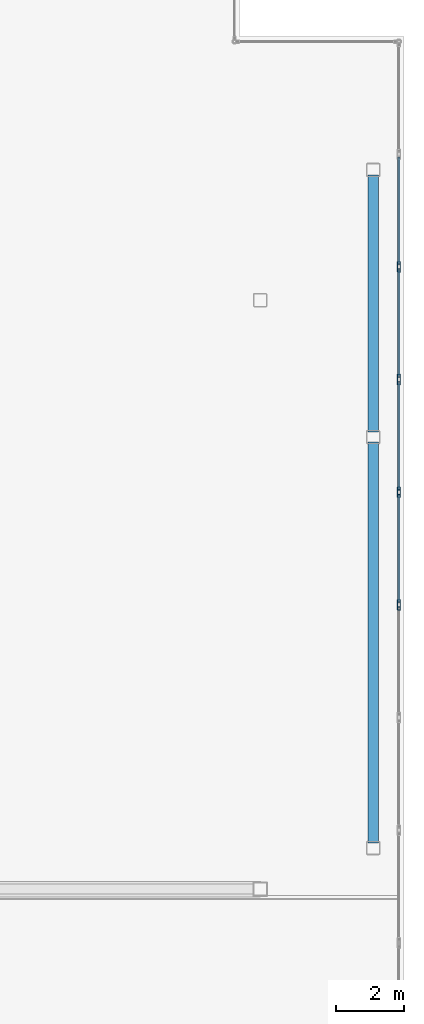
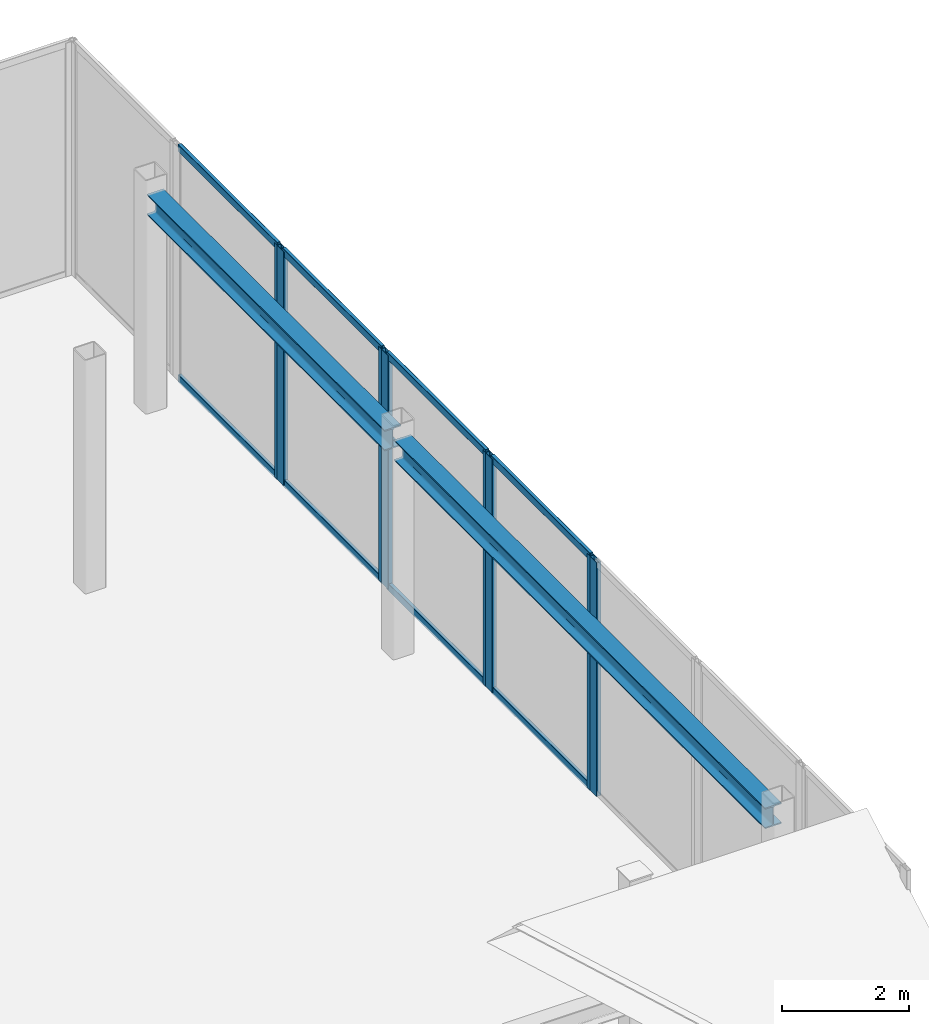
# One storey, part 7 of 15: 16 members, 2 beams, 5 elements without a shape of their own.
"""IFC4 building model written with IfcOpenShell, lengths in metres."""

from ifc_helpers import new_model, si_unit, direction, frame, origin, origin_2d, place, context, subcontext, project, spatial, hollow_rectangle, i_section, extrude, material, layer, layer_set, material_profile, profile_set, type_object, element, aggregate, save


model = new_model("IFC4")

# Units and contexts
model_context = context("Model", 3, precision=1e-05, world=origin(), true_north=direction((0.0, 1.0)))
body_context = subcontext(model_context, "Body", "Model", "MODEL_VIEW")
ifc_project = project(units=[si_unit("LENGTHUNIT", "METRE"), si_unit("AREAUNIT", "SQUARE_METRE"), si_unit("VOLUMEUNIT", "CUBIC_METRE"), si_unit("PLANEANGLEUNIT", "RADIAN"), si_unit("MASSUNIT", "GRAM", prefix="KILO")], contexts=[model_context])

# Site, building, storey
site_placement = place(None, origin())
site = spatial("IfcSite", under=ifc_project, at=site_placement, CompositionType="ELEMENT")
building_placement = place(site_placement, origin())
building = spatial("IfcBuilding", under=site, at=building_placement, Name="Tarnavaz Court Tower", CompositionType="ELEMENT")
storey_placement = place(building_placement, frame((0.0, 0.0, 295.050048828125)))
storey = spatial("IfcBuildingStorey", under=building, at=storey_placement, Name="C04", CompositionType="ELEMENT", Elevation=295.050048828125)

# Beams
ifc_material_1 = material(Name="Steel S355", Category="steel")
ifc_material_profile_1 = material_profile(ifc_material_1, i_section(OverallWidth=0.300048828125, OverallDepth=0.39990234375, WebThickness=0.013427734375, FlangeThickness=0.02392578125, FilletRadius=0.027099609375, at=origin_2d()), Name="HEB 400")
ifc_profile_set_1 = profile_set([ifc_material_profile_1], Name="Steel S355")
beam_type = type_object("IfcBeamType", Name="BM-G-HEB400", PredefinedType="USERDEFINED", material=ifc_profile_set_1)
beam_1_placement = place(storey_placement, frame((21.89990234375, -5.85009765625, 4.0), z_axis=(0.0, 1.0, 0.0), x_axis=(-1.0, 0.0, 0.0)))
element("IfcBeam", 1, at=beam_1_placement, inside=storey, type_object=beam_type, Name="C04 Beam CRG-PE-2-PE-3", ObjectType="GIRDER", PredefinedType="USERDEFINED", context=body_context, shape_type="SweptSolid", body=[
    extrude(i_section(OverallWidth=0.300048828125, OverallDepth=0.39990234375, WebThickness=0.013427734375, FlangeThickness=0.02392578125, FilletRadius=0.027099609375, at=origin_2d()), origin(), (0.0, 0.0, 1.0), 11.7001953125),
])
beam_2_placement = place(storey_placement, frame((21.89990234375, 6.14990234375, 4.0), z_axis=(0.0, 1.0, 0.0), x_axis=(-1.0, 0.0, 0.0)))
element("IfcBeam", 2, at=beam_2_placement, inside=storey, type_object=beam_type, Name="C04 Beam CRG-PE-3-PE-4", ObjectType="GIRDER", PredefinedType="USERDEFINED", context=body_context, shape_type="SweptSolid", body=[
    extrude(i_section(OverallWidth=0.300048828125, OverallDepth=0.39990234375, WebThickness=0.013427734375, FlangeThickness=0.02392578125, FilletRadius=0.027099609375, at=origin_2d()), origin(), (0.0, 0.0, 1.0), 7.5),
])

# Curtain wall, member
ifc_material_2 = material(Name="Anodised Aluminium 6063-T6 and Solar Low-E Glazing", Category="aluminium")
ifc_layer = layer(ifc_material_2, 0.2099609375)
ifc_layer_set = layer_set([ifc_layer], Name="Anodised Aluminium 6063-T6 and Solar Low-E Glazing")
curtain_wall_type = type_object("IfcCurtainWallType", Name="CW-SYS-06", PredefinedType="NOTDEFINED", material=ifc_layer_set)
curtain_wall_1_placement = place(storey_placement, origin())
curtain_wall_1 = element("IfcCurtainWall", 3, at=curtain_wall_1_placement, inside=storey, type_object=curtain_wall_type, Name="C04 Slanted Crown Terracotta Curtain Wall 11", PredefinedType="NOTDEFINED")
ifc_material_3 = material(Name="Anodised Aluminium 6063-T6", Category="aluminium")
ifc_material_profile_2 = material_profile(ifc_material_3, hollow_rectangle(XDim=0.0849609375, YDim=0.219970703125, WallThickness=0.006103515625, InnerFilletRadius=0.006103515625, OuterFilletRadius=0.011962890625, at=origin_2d()), Name="ALU RHS 220X85X6")
ifc_profile_set_2 = profile_set([ifc_material_profile_2], Name="Anodised Aluminium 6063-T6")
member_type_1 = type_object("IfcMemberType", Name="CW-MUL-220", PredefinedType="MULLION", material=ifc_profile_set_2)
member_1_placement = place(storey_placement, frame((22.64990234375, 11.012451171875, 0.0), z_axis=(0.0, 0.0, 1.0), x_axis=(1.0, 0.0, 0.0)))
member_1 = element("IfcMember", 4, at=member_1_placement, type_object=member_type_1, Name="CW mullion 2", PredefinedType="MULLION", context=body_context, shape_type="SweptSolid", body=[
    extrude(hollow_rectangle(XDim=0.0849609375, YDim=0.219970703125, WallThickness=0.006103515625, InnerFilletRadius=0.006103515625, OuterFilletRadius=0.011962890625, at=origin_2d()), origin(), (0.0, 0.0, 1.0), 4.5),
])

# Curtain wall, members
curtain_wall_2_placement = place(storey_placement, origin())
curtain_wall_2 = element("IfcCurtainWall", 5, at=curtain_wall_2_placement, inside=storey, type_object=curtain_wall_type, Name="C04 Slanted Crown Terracotta Curtain Wall 12", PredefinedType="NOTDEFINED")
member_2_placement = place(storey_placement, frame((22.64990234375, 10.927490234375, 0.0), z_axis=(0.0, 0.0, 1.0), x_axis=(1.0, 0.0, 0.0)))
member_2 = element("IfcMember", 6, at=member_2_placement, type_object=member_type_1, Name="CW mullion 1", PredefinedType="MULLION", context=body_context, shape_type="SweptSolid", body=[
    extrude(hollow_rectangle(XDim=0.0849609375, YDim=0.219970703125, WallThickness=0.006103515625, InnerFilletRadius=0.006103515625, OuterFilletRadius=0.011962890625, at=origin_2d()), origin(), (0.0, 0.0, 1.0), 4.5),
])
member_3_placement = place(storey_placement, frame((22.64990234375, 7.722412109375, 0.0), z_axis=(0.0, 0.0, 1.0), x_axis=(1.0, 0.0, 0.0)))
member_3 = element("IfcMember", 7, at=member_3_placement, type_object=member_type_1, Name="CW mullion 2", PredefinedType="MULLION", context=body_context, shape_type="SweptSolid", body=[
    extrude(hollow_rectangle(XDim=0.0849609375, YDim=0.219970703125, WallThickness=0.006103515625, InnerFilletRadius=0.006103515625, OuterFilletRadius=0.011962890625, at=origin_2d()), origin(), (0.0, 0.0, 1.0), 4.5),
])

curtain_wall_3_placement = place(storey_placement, origin())
curtain_wall_3 = element("IfcCurtainWall", 8, at=curtain_wall_3_placement, inside=storey, type_object=curtain_wall_type, Name="C04 Slanted Crown Terracotta Curtain Wall 13", PredefinedType="NOTDEFINED")
member_4_placement = place(storey_placement, frame((22.64990234375, 7.637451171875, 0.0), z_axis=(0.0, 0.0, 1.0), x_axis=(1.0, 0.0, 0.0)))
member_4 = element("IfcMember", 9, at=member_4_placement, type_object=member_type_1, Name="CW mullion 1", PredefinedType="MULLION", context=body_context, shape_type="SweptSolid", body=[
    extrude(hollow_rectangle(XDim=0.0849609375, YDim=0.219970703125, WallThickness=0.006103515625, InnerFilletRadius=0.006103515625, OuterFilletRadius=0.011962890625, at=origin_2d()), origin(), (0.0, 0.0, 1.0), 4.5),
])
member_5_placement = place(storey_placement, frame((22.64990234375, 4.4326171875, 0.0), z_axis=(0.0, 0.0, 1.0), x_axis=(1.0, 0.0, 0.0)))
member_5 = element("IfcMember", 10, at=member_5_placement, type_object=member_type_1, Name="CW mullion 2", PredefinedType="MULLION", context=body_context, shape_type="SweptSolid", body=[
    extrude(hollow_rectangle(XDim=0.0849609375, YDim=0.219970703125, WallThickness=0.006103515625, InnerFilletRadius=0.006103515625, OuterFilletRadius=0.011962890625, at=origin_2d()), origin(), (0.0, 0.0, 1.0), 4.5),
])

curtain_wall_4_placement = place(storey_placement, origin())
curtain_wall_4 = element("IfcCurtainWall", 11, at=curtain_wall_4_placement, inside=storey, type_object=curtain_wall_type, Name="C04 Slanted Crown Terracotta Curtain Wall 14", PredefinedType="NOTDEFINED")
member_6_placement = place(storey_placement, frame((22.64990234375, 4.347412109375, 0.0), z_axis=(0.0, 0.0, 1.0), x_axis=(1.0, 0.0, 0.0)))
member_6 = element("IfcMember", 12, at=member_6_placement, type_object=member_type_1, Name="CW mullion 1", PredefinedType="MULLION", context=body_context, shape_type="SweptSolid", body=[
    extrude(hollow_rectangle(XDim=0.0849609375, YDim=0.219970703125, WallThickness=0.006103515625, InnerFilletRadius=0.006103515625, OuterFilletRadius=0.011962890625, at=origin_2d()), origin(), (0.0, 0.0, 1.0), 4.5),
])
member_7_placement = place(storey_placement, frame((22.64990234375, 1.142578125, 0.0), z_axis=(0.0, 0.0, 1.0), x_axis=(1.0, 0.0, 0.0)))
member_7 = element("IfcMember", 13, at=member_7_placement, type_object=member_type_1, Name="CW mullion 2", PredefinedType="MULLION", context=body_context, shape_type="SweptSolid", body=[
    extrude(hollow_rectangle(XDim=0.0849609375, YDim=0.219970703125, WallThickness=0.006103515625, InnerFilletRadius=0.006103515625, OuterFilletRadius=0.011962890625, at=origin_2d()), origin(), (0.0, 0.0, 1.0), 4.5),
])

# Curtain wall, member
curtain_wall_5_placement = place(storey_placement, origin())
curtain_wall_5 = element("IfcCurtainWall", 14, at=curtain_wall_5_placement, inside=storey, type_object=curtain_wall_type, Name="C04 Slanted Crown Terracotta Curtain Wall 15", PredefinedType="NOTDEFINED")
member_8_placement = place(storey_placement, frame((22.64990234375, 1.0576171875, 0.0), z_axis=(0.0, 0.0, 1.0), x_axis=(1.0, 0.0, 0.0)))
member_8 = element("IfcMember", 15, at=member_8_placement, type_object=member_type_1, Name="CW mullion 1", PredefinedType="MULLION", context=body_context, shape_type="SweptSolid", body=[
    extrude(hollow_rectangle(XDim=0.0849609375, YDim=0.219970703125, WallThickness=0.006103515625, InnerFilletRadius=0.006103515625, OuterFilletRadius=0.011962890625, at=origin_2d()), origin(), (0.0, 0.0, 1.0), 4.5),
])
aggregate(curtain_wall_5, [member_8])

# Member
ifc_material_profile_3 = material_profile(ifc_material_3, hollow_rectangle(XDim=0.06494140625, YDim=0.139892578125, WallThickness=0.00390625, InnerFilletRadius=0.00390625, OuterFilletRadius=0.008056640625, at=origin_2d()), Name="ALU RHS 140X65X4")
ifc_profile_set_3 = profile_set([ifc_material_profile_3], Name="Anodised Aluminium 6063-T6")
member_type_2 = type_object("IfcMemberType", Name="CW-TRN-140", PredefinedType="USERDEFINED", material=ifc_profile_set_3)
member_9_placement = place(storey_placement, frame((22.64990234375, 14.175048828125, 0.032470703125), z_axis=(0.0, -1.0, 0.0), x_axis=(1.0, 0.0, 0.0)))
member_9 = element("IfcMember", 16, at=member_9_placement, type_object=member_type_2, Name="CW transom 1.1", ObjectType="TRANSOM", PredefinedType="USERDEFINED", context=body_context, shape_type="SweptSolid", body=[
    extrude(hollow_rectangle(XDim=0.06494140625, YDim=0.139892578125, WallThickness=0.00390625, InnerFilletRadius=0.00390625, OuterFilletRadius=0.008056640625, at=origin_2d()), origin(), (0.0, 0.0, 1.0), 3.1201171875),
])

member_10_placement = place(storey_placement, frame((22.64990234375, 14.175048828125, 4.467529296875), z_axis=(0.0, -1.0, 0.0), x_axis=(1.0, 0.0, 0.0)))
member_10 = element("IfcMember", 17, at=member_10_placement, type_object=member_type_2, Name="CW transom 1.2", ObjectType="TRANSOM", PredefinedType="USERDEFINED", context=body_context, shape_type="SweptSolid", body=[
    extrude(hollow_rectangle(XDim=0.06494140625, YDim=0.139892578125, WallThickness=0.00390625, InnerFilletRadius=0.00390625, OuterFilletRadius=0.008056640625, at=origin_2d()), origin(), (0.0, 0.0, 1.0), 3.1201171875),
])

aggregate(curtain_wall_1, [member_1, member_9, member_10])

member_11_placement = place(storey_placement, frame((22.64990234375, 10.885009765625, 0.032470703125), z_axis=(0.0, -1.0, 0.0), x_axis=(1.0, 0.0, 0.0)))
member_11 = element("IfcMember", 18, at=member_11_placement, type_object=member_type_2, Name="CW transom 1.1", ObjectType="TRANSOM", PredefinedType="USERDEFINED", context=body_context, shape_type="SweptSolid", body=[
    extrude(hollow_rectangle(XDim=0.06494140625, YDim=0.139892578125, WallThickness=0.00390625, InnerFilletRadius=0.00390625, OuterFilletRadius=0.008056640625, at=origin_2d()), origin(), (0.0, 0.0, 1.0), 3.1201171875),
])

member_12_placement = place(storey_placement, frame((22.64990234375, 10.885009765625, 4.467529296875), z_axis=(0.0, -1.0, 0.0), x_axis=(1.0, 0.0, 0.0)))
member_12 = element("IfcMember", 19, at=member_12_placement, type_object=member_type_2, Name="CW transom 1.2", ObjectType="TRANSOM", PredefinedType="USERDEFINED", context=body_context, shape_type="SweptSolid", body=[
    extrude(hollow_rectangle(XDim=0.06494140625, YDim=0.139892578125, WallThickness=0.00390625, InnerFilletRadius=0.00390625, OuterFilletRadius=0.008056640625, at=origin_2d()), origin(), (0.0, 0.0, 1.0), 3.1201171875),
])

aggregate(curtain_wall_2, [member_2, member_3, member_11, member_12])

member_13_placement = place(storey_placement, frame((22.64990234375, 7.594970703125, 0.032470703125), z_axis=(0.0, -1.0, 0.0), x_axis=(1.0, 0.0, 0.0)))
member_13 = element("IfcMember", 20, at=member_13_placement, type_object=member_type_2, Name="CW transom 1.1", ObjectType="TRANSOM", PredefinedType="USERDEFINED", context=body_context, shape_type="SweptSolid", body=[
    extrude(hollow_rectangle(XDim=0.06494140625, YDim=0.139892578125, WallThickness=0.00390625, InnerFilletRadius=0.00390625, OuterFilletRadius=0.008056640625, at=origin_2d()), origin(), (0.0, 0.0, 1.0), 3.119873046875),
])

member_14_placement = place(storey_placement, frame((22.64990234375, 7.594970703125, 4.467529296875), z_axis=(0.0, -1.0, 0.0), x_axis=(1.0, 0.0, 0.0)))
member_14 = element("IfcMember", 21, at=member_14_placement, type_object=member_type_2, Name="CW transom 1.2", ObjectType="TRANSOM", PredefinedType="USERDEFINED", context=body_context, shape_type="SweptSolid", body=[
    extrude(hollow_rectangle(XDim=0.06494140625, YDim=0.139892578125, WallThickness=0.00390625, InnerFilletRadius=0.00390625, OuterFilletRadius=0.008056640625, at=origin_2d()), origin(), (0.0, 0.0, 1.0), 3.119873046875),
])

aggregate(curtain_wall_3, [member_4, member_5, member_13, member_14])

member_15_placement = place(storey_placement, frame((22.64990234375, 4.304931640625, 0.032470703125), z_axis=(0.0, -1.0, 0.0), x_axis=(1.0, 0.0, 0.0)))
member_15 = element("IfcMember", 22, at=member_15_placement, type_object=member_type_2, Name="CW transom 1.1", ObjectType="TRANSOM", PredefinedType="USERDEFINED", context=body_context, shape_type="SweptSolid", body=[
    extrude(hollow_rectangle(XDim=0.06494140625, YDim=0.139892578125, WallThickness=0.00390625, InnerFilletRadius=0.00390625, OuterFilletRadius=0.008056640625, at=origin_2d()), origin(), (0.0, 0.0, 1.0), 3.119873046875),
])

member_16_placement = place(storey_placement, frame((22.64990234375, 4.304931640625, 4.467529296875), z_axis=(0.0, -1.0, 0.0), x_axis=(1.0, 0.0, 0.0)))
member_16 = element("IfcMember", 23, at=member_16_placement, type_object=member_type_2, Name="CW transom 1.2", ObjectType="TRANSOM", PredefinedType="USERDEFINED", context=body_context, shape_type="SweptSolid", body=[
    extrude(hollow_rectangle(XDim=0.06494140625, YDim=0.139892578125, WallThickness=0.00390625, InnerFilletRadius=0.00390625, OuterFilletRadius=0.008056640625, at=origin_2d()), origin(), (0.0, 0.0, 1.0), 3.119873046875),
])

aggregate(curtain_wall_4, [member_6, member_7, member_15, member_16])

save(model, "model.ifc")
